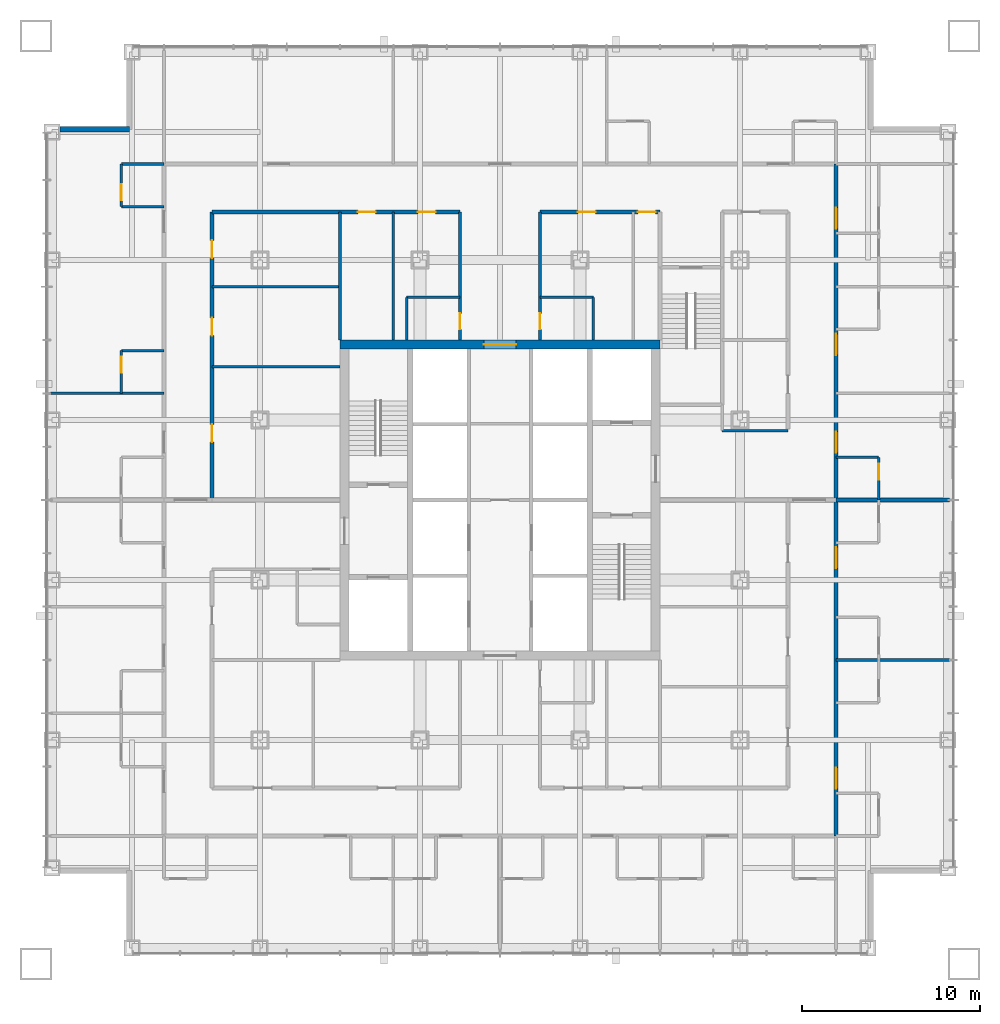
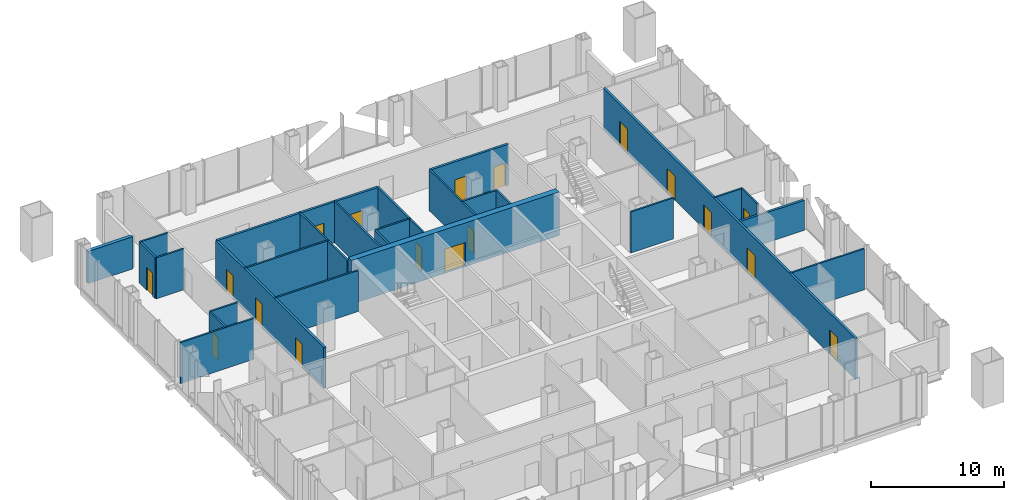
# One storey, part 10 of 13: 27 walls, 18 doors, 18 openings.
"""IFC4 building model written with IfcOpenShell, lengths in metres."""

from ifc_helpers import new_model, si_unit, direction, frame, frame_2d, origin, place, context, subcontext, project, spatial, rectangle, extrude, material, layer, layer_set, type_object, element, fill, save


model = new_model("IFC4")

# Units and contexts
model_context = context("Model", 3, precision=1e-05, world=origin(), true_north=direction((0.0, 1.0)))
body_context = subcontext(model_context, "Body", "Model", "MODEL_VIEW")
ifc_project = project(units=[si_unit("LENGTHUNIT", "METRE"), si_unit("AREAUNIT", "SQUARE_METRE"), si_unit("VOLUMEUNIT", "CUBIC_METRE"), si_unit("PLANEANGLEUNIT", "RADIAN"), si_unit("MASSUNIT", "GRAM", prefix="KILO")], contexts=[model_context])

# Site, building, storey
site_placement = place(None, origin())
site = spatial("IfcSite", under=ifc_project, at=site_placement, CompositionType="ELEMENT")
building_placement = place(site_placement, origin())
building = spatial("IfcBuilding", under=site, at=building_placement, Name="Malebo Sky Hospital", CompositionType="ELEMENT")
storey_placement = place(building_placement, frame((0.0, 0.0, 75.0)))
storey = spatial("IfcBuildingStorey", under=building, at=storey_placement, Name="L17", CompositionType="ELEMENT", Elevation=75.0)

# Wall, opening, door
ifc_material_1 = material(Name="Concrete C80/95", Category="concrete")
ifc_layer_1 = layer(ifc_material_1, 0.5)
ifc_layer_set_1 = layer_set([ifc_layer_1], Name="CORE WALL 500")
wall_type_1 = type_object("IfcWallType", Name="CORE WALL 500", PredefinedType="SHEAR", material=ifc_layer_set_1)
wall_1_placement = place(storey_placement, frame((51.0, 70.75, 0.0), z_axis=(0.0, 0.0, 1.0), x_axis=(1.0, 0.0, 0.0)))
wall_1 = element("IfcWall", 1, at=wall_1_placement, inside=storey, type_object=wall_type_1, Name="Core wall N L17", PredefinedType="SHEAR", context=body_context, shape_type="SweptSolid", body=[
    extrude(rectangle(XDim=18.0, YDim=0.5, at=frame_2d((9.0, 0.0))), origin(), (0.0, 0.0, 1.0), 4.0),
])
opening_1_placement = place(wall_1_placement, frame((8.10009765625, 0.0, 0.0)))
opening_1 = element("IfcOpeningElement", 2, at=opening_1_placement, cuts=wall_1, Name="Opening D06", PredefinedType="OPENING", context=body_context, shape_type="SweptSolid", body=[
    extrude(rectangle(XDim=1.800048828125, YDim=2.199951171875, at=frame_2d((0.89990234375, 1.10009765625))), frame((0.0, 0.260009765625, 0.0), z_axis=(0.0, -1.0, 0.0), x_axis=(1.0, 0.0, 0.0)), (0.0, 0.0, 1.0), 0.52001953125),
])
ifc_material_2 = material(Name="Hardwood-faced door leaf in steel frame", Category="steel")
door_type_1 = type_object("IfcDoorType", Name="LOBBY DOOR PAIR 1800", OperationType="DOUBLE_DOOR_SINGLE_SWING", PredefinedType="DOOR", material=ifc_material_2)
door_1_placement = place(opening_1_placement, origin())
door_1 = element("IfcDoor", 3, at=door_1_placement, inside=storey, type_object=door_type_1, Name="ward pantry door north", OperationType="DOUBLE_DOOR_SINGLE_SWING", OverallHeight=2.199951171875, OverallWidth=1.800048828125, PredefinedType="DOOR", context=body_context, shape_type="SweptSolid", body=[
    extrude(rectangle(XDim=1.800048828125, YDim=2.199951171875, at=frame_2d((0.89990234375, 1.10009765625))), frame((0.0, 0.02490234375, 0.0), z_axis=(0.0, -1.0, 0.0), x_axis=(1.0, 0.0, 0.0)), (0.0, 0.0, 1.0), 0.050048828125),
])
fill(opening_1, door_1)

# Wall, openings, doors
ifc_material_3 = material(Name="Gypsum board on steel studs", Category="steel")
ifc_layer_2 = layer(ifc_material_3, 0.199951171875)
ifc_layer_set_2 = layer_set([ifc_layer_2], Name="CORRIDOR WALL 200")
wall_type_2 = type_object("IfcWallType", Name="CORRIDOR WALL 200", PredefinedType="PARTITIONING", material=ifc_layer_set_2)
wall_2_placement = place(storey_placement, frame((43.800048828125, 78.199951171875, 0.0), z_axis=(0.0, 0.0, 1.0), x_axis=(1.0, 0.0, 0.0)))
wall_2 = element("IfcWall", 4, at=wall_2_placement, inside=storey, type_object=wall_type_2, Name="Corridor Wall 200 NCI1", PredefinedType="PARTITIONING", context=body_context, shape_type="SweptSolid", body=[
    extrude(rectangle(XDim=13.949951171875, YDim=0.199951171875, at=frame_2d((6.97509765625, 0.0))), origin(), (0.0, 0.0, 1.0), 3.75),
])
opening_2_placement = place(wall_2_placement, frame((8.199951171875, 0.0, 0.0)))
opening_2 = element("IfcOpeningElement", 5, at=opening_2_placement, cuts=wall_2, Name="Opening D03", PredefinedType="OPENING", context=body_context, shape_type="SweptSolid", body=[
    extrude(rectangle(XDim=1.0, YDim=2.10009765625, at=frame_2d((0.5, 1.050048828125))), frame((0.0, 0.10986328125, 0.0), z_axis=(0.0, -1.0, 0.0), x_axis=(1.0, 0.0, 0.0)), (0.0, 0.0, 1.0), 0.219970703125),
])
opening_3_placement = place(wall_2_placement, frame((11.574951171875, 0.0, 0.0)))
opening_3 = element("IfcOpeningElement", 6, at=opening_3_placement, cuts=wall_2, Name="Opening D03", PredefinedType="OPENING", context=body_context, shape_type="SweptSolid", body=[
    extrude(rectangle(XDim=1.0, YDim=2.10009765625, at=frame_2d((0.5, 1.050048828125))), frame((0.0, 0.10986328125, 0.0), z_axis=(0.0, -1.0, 0.0), x_axis=(1.0, 0.0, 0.0)), (0.0, 0.0, 1.0), 0.219970703125),
])
door_type_2 = type_object("IfcDoorType", Name="ROOM DOOR 1000", OperationType="SINGLE_SWING_LEFT", PredefinedType="DOOR", material=ifc_material_2)
door_2_placement = place(opening_2_placement, origin())
door_2 = element("IfcDoor", 7, at=door_2_placement, inside=storey, type_object=door_type_2, Name="Equipment store door", OperationType="SINGLE_SWING_LEFT", OverallHeight=2.10009765625, OverallWidth=1.0, PredefinedType="DOOR", context=body_context, shape_type="SweptSolid", body=[
    extrude(rectangle(XDim=1.0, YDim=2.10009765625, at=frame_2d((0.5, 1.050048828125))), frame((0.0, 0.02490234375, 0.0), z_axis=(0.0, -1.0, 0.0), x_axis=(1.0, 0.0, 0.0)), (0.0, 0.0, 1.0), 0.050048828125),
])
fill(opening_2, door_2)
door_3_placement = place(opening_3_placement, origin())
door_3 = element("IfcDoor", 8, at=door_3_placement, inside=storey, type_object=door_type_2, Name="Linen store door", OperationType="SINGLE_SWING_LEFT", OverallHeight=2.10009765625, OverallWidth=1.0, PredefinedType="DOOR", context=body_context, shape_type="SweptSolid", body=[
    extrude(rectangle(XDim=1.0, YDim=2.10009765625, at=frame_2d((0.5, 1.050048828125))), frame((0.0, 0.02490234375, 0.0), z_axis=(0.0, -1.0, 0.0), x_axis=(1.0, 0.0, 0.0)), (0.0, 0.0, 1.0), 0.050048828125),
])
fill(opening_3, door_3)

wall_3_placement = place(storey_placement, frame((62.25, 78.199951171875, 0.0), z_axis=(0.0, 0.0, 1.0), x_axis=(1.0, 0.0, 0.0)))
wall_3 = element("IfcWall", 9, at=wall_3_placement, inside=storey, type_object=wall_type_2, Name="Corridor Wall 200 NCI2", PredefinedType="PARTITIONING", context=body_context, shape_type="SweptSolid", body=[
    extrude(rectangle(XDim=6.75, YDim=0.199951171875, at=frame_2d((3.375, 0.0))), origin(), (0.0, 0.0, 1.0), 3.75),
])
opening_4_placement = place(wall_3_placement, frame((2.125, 0.0, 0.0)))
opening_4 = element("IfcOpeningElement", 10, at=opening_4_placement, cuts=wall_3, Name="Opening D03", PredefinedType="OPENING", context=body_context, shape_type="SweptSolid", body=[
    extrude(rectangle(XDim=1.0, YDim=2.10009765625, at=frame_2d((0.5, 1.050048828125))), frame((0.0, 0.10986328125, 0.0), z_axis=(0.0, -1.0, 0.0), x_axis=(1.0, 0.0, 0.0)), (0.0, 0.0, 1.0), 0.219970703125),
])
opening_5_placement = place(wall_3_placement, frame((5.5, 0.0, 0.0)))
opening_5 = element("IfcOpeningElement", 11, at=opening_5_placement, cuts=wall_3, Name="Opening D03", PredefinedType="OPENING", context=body_context, shape_type="SweptSolid", body=[
    extrude(rectangle(XDim=1.0, YDim=2.10009765625, at=frame_2d((0.5, 1.050048828125))), frame((0.0, 0.10986328125, 0.0), z_axis=(0.0, -1.0, 0.0), x_axis=(1.0, 0.0, 0.0)), (0.0, 0.0, 1.0), 0.219970703125),
])
door_4_placement = place(opening_4_placement, origin())
door_4 = element("IfcDoor", 12, at=door_4_placement, inside=storey, type_object=door_type_2, Name="Ward pantry door", OperationType="SINGLE_SWING_LEFT", OverallHeight=2.10009765625, OverallWidth=1.0, PredefinedType="DOOR", context=body_context, shape_type="SweptSolid", body=[
    extrude(rectangle(XDim=1.0, YDim=2.10009765625, at=frame_2d((0.5, 1.050048828125))), frame((0.0, 0.02490234375, 0.0), z_axis=(0.0, -1.0, 0.0), x_axis=(1.0, 0.0, 0.0)), (0.0, 0.0, 1.0), 0.050048828125),
])
fill(opening_4, door_4)
door_5_placement = place(opening_5_placement, origin())
door_5 = element("IfcDoor", 13, at=door_5_placement, inside=storey, type_object=door_type_2, Name="Staff base door", OperationType="SINGLE_SWING_RIGHT", OverallHeight=2.10009765625, OverallWidth=1.0, PredefinedType="DOOR", context=body_context, shape_type="SweptSolid", body=[
    extrude(rectangle(XDim=1.0, YDim=2.10009765625, at=frame_2d((0.5, 1.050048828125))), frame((0.0, 0.02490234375, 0.0), z_axis=(0.0, -1.0, 0.0), x_axis=(1.0, 0.0, 0.0)), (0.0, 0.0, 1.0), 0.050048828125),
])
fill(opening_5, door_5)

wall_4_placement = place(storey_placement, frame((43.800048828125, 62.0, 0.0), z_axis=(0.0, 0.0, 1.0), x_axis=(0.0, 1.0, 0.0)))
wall_4 = element("IfcWall", 14, at=wall_4_placement, inside=storey, type_object=wall_type_2, Name="Corridor Wall 200 WCI2", PredefinedType="PARTITIONING", context=body_context, shape_type="SweptSolid", body=[
    extrude(rectangle(XDim=16.199951171875, YDim=0.199951171875, at=frame_2d((8.10009765625, 0.0))), origin(), (0.0, 0.0, 1.0), 3.75),
])
opening_6_placement = place(wall_4_placement, frame((3.25, 0.0, 0.0)))
opening_6 = element("IfcOpeningElement", 15, at=opening_6_placement, cuts=wall_4, Name="Opening D03", PredefinedType="OPENING", context=body_context, shape_type="SweptSolid", body=[
    extrude(rectangle(XDim=1.0, YDim=2.10009765625, at=frame_2d((0.5, 1.050048828125))), frame((0.0, 0.10986328125, 0.0), z_axis=(0.0, -1.0, 0.0), x_axis=(1.0, 0.0, 0.0)), (0.0, 0.0, 1.0), 0.219970703125),
])
opening_7_placement = place(wall_4_placement, frame((9.25, 0.0, 0.0)))
opening_7 = element("IfcOpeningElement", 16, at=opening_7_placement, cuts=wall_4, Name="Opening D03", PredefinedType="OPENING", context=body_context, shape_type="SweptSolid", body=[
    extrude(rectangle(XDim=1.0, YDim=2.10009765625, at=frame_2d((0.5, 1.050048828125))), frame((0.0, 0.10986328125, 0.0), z_axis=(0.0, -1.0, 0.0), x_axis=(1.0, 0.0, 0.0)), (0.0, 0.0, 1.0), 0.219970703125),
])
opening_8_placement = place(wall_4_placement, frame((13.60009765625, 0.0, 0.0)))
opening_8 = element("IfcOpeningElement", 17, at=opening_8_placement, cuts=wall_4, Name="Opening D03", PredefinedType="OPENING", context=body_context, shape_type="SweptSolid", body=[
    extrude(rectangle(XDim=1.0, YDim=2.10009765625, at=frame_2d((0.5, 1.050048828125))), frame((0.0, 0.10986328125, 0.0), z_axis=(0.0, -1.0, 0.0), x_axis=(1.0, 0.0, 0.0)), (0.0, 0.0, 1.0), 0.219970703125),
])
door_6_placement = place(opening_6_placement, origin())
door_6 = element("IfcDoor", 18, at=door_6_placement, inside=storey, type_object=door_type_2, Name="Staff rest room door", OperationType="SINGLE_SWING_LEFT", OverallHeight=2.10009765625, OverallWidth=1.0, PredefinedType="DOOR", context=body_context, shape_type="SweptSolid", body=[
    extrude(rectangle(XDim=1.0, YDim=2.10009765625, at=frame_2d((0.5, 1.050048828125))), frame((0.0, 0.02490234375, 0.0), z_axis=(0.0, -1.0, 0.0), x_axis=(1.0, 0.0, 0.0)), (0.0, 0.0, 1.0), 0.050048828125),
])
fill(opening_6, door_6)
door_7_placement = place(opening_7_placement, origin())
door_7 = element("IfcDoor", 19, at=door_7_placement, inside=storey, type_object=door_type_2, Name="Seminar room door", OperationType="SINGLE_SWING_LEFT", OverallHeight=2.10009765625, OverallWidth=1.0, PredefinedType="DOOR", context=body_context, shape_type="SweptSolid", body=[
    extrude(rectangle(XDim=1.0, YDim=2.10009765625, at=frame_2d((0.5, 1.050048828125))), frame((0.0, 0.02490234375, 0.0), z_axis=(0.0, -1.0, 0.0), x_axis=(1.0, 0.0, 0.0)), (0.0, 0.0, 1.0), 0.050048828125),
])
fill(opening_7, door_7)
door_8_placement = place(opening_8_placement, origin())
door_8 = element("IfcDoor", 20, at=door_8_placement, inside=storey, type_object=door_type_2, Name="Dirty utility room door", OperationType="SINGLE_SWING_RIGHT", OverallHeight=2.10009765625, OverallWidth=1.0, PredefinedType="DOOR", context=body_context, shape_type="SweptSolid", body=[
    extrude(rectangle(XDim=1.0, YDim=2.10009765625, at=frame_2d((0.5, 1.050048828125))), frame((0.0, 0.02490234375, 0.0), z_axis=(0.0, -1.0, 0.0), x_axis=(1.0, 0.0, 0.0)), (0.0, 0.0, 1.0), 0.050048828125),
])
fill(opening_8, door_8)

wall_5_placement = place(storey_placement, frame((78.89990234375, 80.89990234375, 0.0), z_axis=(0.0, 0.0, 1.0), x_axis=(0.0, -1.0, 0.0)))
wall_5 = element("IfcWall", 21, at=wall_5_placement, inside=storey, type_object=wall_type_2, Name="Corridor Wall 200 ECO", PredefinedType="PARTITIONING", context=body_context, shape_type="SweptSolid", body=[
    extrude(rectangle(XDim=37.7998046875, YDim=0.199951171875, at=frame_2d((18.89990234375, 0.0))), origin(), (0.0, 0.0, 1.0), 3.75),
])
opening_9_placement = place(wall_5_placement, frame((2.449951171875, 0.0, 0.0)))
opening_9 = element("IfcOpeningElement", 22, at=opening_9_placement, cuts=wall_5, Name="Opening D18", PredefinedType="OPENING", context=body_context, shape_type="SweptSolid", body=[
    extrude(rectangle(XDim=1.199951171875, YDim=2.199951171875, at=frame_2d((0.60009765625, 1.10009765625))), frame((0.0, 0.10986328125, 0.0), z_axis=(0.0, -1.0, 0.0), x_axis=(1.0, 0.0, 0.0)), (0.0, 0.0, 1.0), 0.219970703125),
])
opening_10_placement = place(wall_5_placement, frame((9.550048828125, 0.0, 0.0)))
opening_10 = element("IfcOpeningElement", 23, at=opening_10_placement, cuts=wall_5, Name="Opening D01", PredefinedType="OPENING", context=body_context, shape_type="SweptSolid", body=[
    extrude(rectangle(XDim=1.199951171875, YDim=2.199951171875, at=frame_2d((0.60009765625, 1.10009765625))), frame((0.0, 0.10986328125, 0.0), z_axis=(0.0, -1.0, 0.0), x_axis=(1.0, 0.0, 0.0)), (0.0, 0.0, 1.0), 0.219970703125),
])
opening_11_placement = place(wall_5_placement, frame((15.050048828125, 0.0, 0.0)))
opening_11 = element("IfcOpeningElement", 24, at=opening_11_placement, cuts=wall_5, Name="Opening D01", PredefinedType="OPENING", context=body_context, shape_type="SweptSolid", body=[
    extrude(rectangle(XDim=1.199951171875, YDim=2.199951171875, at=frame_2d((0.60009765625, 1.10009765625))), frame((0.0, 0.10986328125, 0.0), z_axis=(0.0, -1.0, 0.0), x_axis=(1.0, 0.0, 0.0)), (0.0, 0.0, 1.0), 0.219970703125),
])
opening_12_placement = place(wall_5_placement, frame((21.550048828125, 0.0, 0.0)))
opening_12 = element("IfcOpeningElement", 25, at=opening_12_placement, cuts=wall_5, Name="Opening D01", PredefinedType="OPENING", context=body_context, shape_type="SweptSolid", body=[
    extrude(rectangle(XDim=1.199951171875, YDim=2.199951171875, at=frame_2d((0.60009765625, 1.10009765625))), frame((0.0, 0.10986328125, 0.0), z_axis=(0.0, -1.0, 0.0), x_axis=(1.0, 0.0, 0.0)), (0.0, 0.0, 1.0), 0.219970703125),
])
opening_13_placement = place(wall_5_placement, frame((33.949951171875, 0.0, 0.0)))
opening_13 = element("IfcOpeningElement", 26, at=opening_13_placement, cuts=wall_5, Name="Opening D01", PredefinedType="OPENING", context=body_context, shape_type="SweptSolid", body=[
    extrude(rectangle(XDim=1.199951171875, YDim=2.199951171875, at=frame_2d((0.60009765625, 1.10009765625))), frame((0.0, 0.10986328125, 0.0), z_axis=(0.0, -1.0, 0.0), x_axis=(1.0, 0.0, 0.0)), (0.0, 0.0, 1.0), 0.219970703125),
])
door_type_3 = type_object("IfcDoorType", Name="ANTEROOM DOOR 1200", OperationType="SINGLE_SWING_LEFT", PredefinedType="DOOR", material=ifc_material_2)
door_9_placement = place(opening_9_placement, origin())
door_9 = element("IfcDoor", 27, at=door_9_placement, inside=storey, type_object=door_type_3, Name="Anteroom door", OperationType="SINGLE_SWING_RIGHT", OverallHeight=2.199951171875, OverallWidth=1.199951171875, PredefinedType="DOOR", context=body_context, shape_type="SweptSolid", body=[
    extrude(rectangle(XDim=1.199951171875, YDim=2.199951171875, at=frame_2d((0.60009765625, 1.10009765625))), frame((0.0, 0.02490234375, 0.0), z_axis=(0.0, -1.0, 0.0), x_axis=(1.0, 0.0, 0.0)), (0.0, 0.0, 1.0), 0.050048828125),
])
fill(opening_9, door_9)
door_type_4 = type_object("IfcDoorType", Name="BED DOOR 1200", OperationType="SINGLE_SWING_LEFT", PredefinedType="DOOR", material=ifc_material_2)
door_10_placement = place(opening_10_placement, origin())
door_10 = element("IfcDoor", 28, at=door_10_placement, inside=storey, type_object=door_type_4, Name="Single bed room door", OperationType="SINGLE_SWING_LEFT", OverallHeight=2.199951171875, OverallWidth=1.199951171875, PredefinedType="DOOR", context=body_context, shape_type="SweptSolid", body=[
    extrude(rectangle(XDim=1.199951171875, YDim=2.199951171875, at=frame_2d((0.60009765625, 1.10009765625))), frame((0.0, 0.02490234375, 0.0), z_axis=(0.0, -1.0, 0.0), x_axis=(1.0, 0.0, 0.0)), (0.0, 0.0, 1.0), 0.050048828125),
])
fill(opening_10, door_10)
door_11_placement = place(opening_11_placement, origin())
door_11 = element("IfcDoor", 29, at=door_11_placement, inside=storey, type_object=door_type_4, Name="Single bed room door", OperationType="SINGLE_SWING_RIGHT", OverallHeight=2.199951171875, OverallWidth=1.199951171875, PredefinedType="DOOR", context=body_context, shape_type="SweptSolid", body=[
    extrude(rectangle(XDim=1.199951171875, YDim=2.199951171875, at=frame_2d((0.60009765625, 1.10009765625))), frame((0.0, 0.02490234375, 0.0), z_axis=(0.0, -1.0, 0.0), x_axis=(1.0, 0.0, 0.0)), (0.0, 0.0, 1.0), 0.050048828125),
])
fill(opening_11, door_11)
door_12_placement = place(opening_12_placement, origin())
door_12 = element("IfcDoor", 30, at=door_12_placement, inside=storey, type_object=door_type_4, Name="Four-bed bay door", OperationType="SINGLE_SWING_LEFT", OverallHeight=2.199951171875, OverallWidth=1.199951171875, PredefinedType="DOOR", context=body_context, shape_type="SweptSolid", body=[
    extrude(rectangle(XDim=1.199951171875, YDim=2.199951171875, at=frame_2d((0.60009765625, 1.10009765625))), frame((0.0, 0.02490234375, 0.0), z_axis=(0.0, -1.0, 0.0), x_axis=(1.0, 0.0, 0.0)), (0.0, 0.0, 1.0), 0.050048828125),
])
fill(opening_12, door_12)
door_13_placement = place(opening_13_placement, origin())
door_13 = element("IfcDoor", 31, at=door_13_placement, inside=storey, type_object=door_type_4, Name="Four-bed bay door", OperationType="SINGLE_SWING_RIGHT", OverallHeight=2.199951171875, OverallWidth=1.199951171875, PredefinedType="DOOR", context=body_context, shape_type="SweptSolid", body=[
    extrude(rectangle(XDim=1.199951171875, YDim=2.199951171875, at=frame_2d((0.60009765625, 1.10009765625))), frame((0.0, 0.02490234375, 0.0), z_axis=(0.0, -1.0, 0.0), x_axis=(1.0, 0.0, 0.0)), (0.0, 0.0, 1.0), 0.050048828125),
])
fill(opening_13, door_13)

# Walls
ifc_material_4 = material(Name="Anodised aluminium rainscreen on steel framing", Category="steel")
ifc_layer_3 = layer(ifc_material_4, 0.300048828125)
ifc_layer_set_3 = layer_set([ifc_layer_3], Name="NOTCH RAINSCREEN WALL 300")
wall_type_3 = type_object("IfcWallType", Name="NOTCH RAINSCREEN WALL 300", PredefinedType="ELEMENTEDWALL", material=ifc_layer_set_3)
wall_6_placement = place(storey_placement, frame((35.25, 82.85009765625, 0.0), z_axis=(0.0, 0.0, 1.0), x_axis=(1.0, 0.0, 0.0)))
element("IfcWall", 32, at=wall_6_placement, inside=storey, type_object=wall_type_3, Name="Notch rainscreen wall W1 L17", PredefinedType="ELEMENTEDWALL", context=body_context, shape_type="SweptSolid", body=[
    extrude(rectangle(XDim=3.89990234375, YDim=0.300048828125, at=frame_2d((1.949951171875, 0.0))), origin(), (0.0, 0.0, 1.0), 2.949951171875),
])
ifc_layer_4 = layer(ifc_material_3, 0.14990234375)
ifc_layer_set_4 = layer_set([ifc_layer_4], Name="PARTITION 150")
wall_type_4 = type_object("IfcWallType", Name="PARTITION 150", PredefinedType="PARTITIONING", material=ifc_layer_set_4)
wall_7_placement = place(storey_placement, frame((51.0, 71.0, 0.0), z_axis=(0.0, 0.0, 1.0), x_axis=(0.0, 1.0, 0.0)))
element("IfcWall", 33, at=wall_7_placement, inside=storey, type_object=wall_type_4, Name="Partition 150 NSP0", PredefinedType="PARTITIONING", context=body_context, shape_type="SweptSolid", body=[
    extrude(rectangle(XDim=7.199951171875, YDim=0.14990234375, at=frame_2d((3.60009765625, 0.0))), origin(), (0.0, 0.0, 1.0), 3.75),
])

# Wall, opening, door
wall_8_placement = place(storey_placement, frame((57.75, 71.0, 0.0), z_axis=(0.0, 0.0, 1.0), x_axis=(0.0, 1.0, 0.0)))
wall_8 = element("IfcWall", 34, at=wall_8_placement, inside=storey, type_object=wall_type_4, Name="Partition 150 NSPA", PredefinedType="PARTITIONING", context=body_context, shape_type="SweptSolid", body=[
    extrude(rectangle(XDim=7.199951171875, YDim=0.14990234375, at=frame_2d((3.60009765625, 0.0))), origin(), (0.0, 0.0, 1.0), 3.75),
])
opening_14_placement = place(wall_8_placement, frame((0.60009765625, 0.0, 0.0)))
opening_14 = element("IfcOpeningElement", 35, at=opening_14_placement, cuts=wall_8, Name="Opening D04", PredefinedType="OPENING", context=body_context, shape_type="SweptSolid", body=[
    extrude(rectangle(XDim=0.89990234375, YDim=2.10009765625, at=frame_2d((0.449951171875, 1.050048828125))), frame((0.0, 0.0849609375, 0.0), z_axis=(0.0, -1.0, 0.0), x_axis=(1.0, 0.0, 0.0)), (0.0, 0.0, 1.0), 0.169921875),
])
door_type_5 = type_object("IfcDoorType", Name="ROOM DOOR 900", OperationType="SINGLE_SWING_LEFT", PredefinedType="DOOR", material=ifc_material_2)
door_14_placement = place(opening_14_placement, origin())
door_14 = element("IfcDoor", 36, at=door_14_placement, inside=storey, type_object=door_type_5, Name="Staff WC door", OperationType="SINGLE_SWING_LEFT", OverallHeight=2.10009765625, OverallWidth=0.89990234375, PredefinedType="DOOR", context=body_context, shape_type="SweptSolid", body=[
    extrude(rectangle(XDim=0.89990234375, YDim=2.10009765625, at=frame_2d((0.449951171875, 1.050048828125))), frame((0.0, 0.02490234375, 0.0), z_axis=(0.0, -1.0, 0.0), x_axis=(1.0, 0.0, 0.0)), (0.0, 0.0, 1.0), 0.050048828125),
])
fill(opening_14, door_14)

wall_9_placement = place(storey_placement, frame((62.25, 71.0, 0.0), z_axis=(0.0, 0.0, 1.0), x_axis=(0.0, 1.0, 0.0)))
wall_9 = element("IfcWall", 37, at=wall_9_placement, inside=storey, type_object=wall_type_4, Name="Partition 150 NSPB", PredefinedType="PARTITIONING", context=body_context, shape_type="SweptSolid", body=[
    extrude(rectangle(XDim=7.199951171875, YDim=0.14990234375, at=frame_2d((3.60009765625, 0.0))), origin(), (0.0, 0.0, 1.0), 3.75),
])
opening_15_placement = place(wall_9_placement, frame((0.60009765625, 0.0, 0.0)))
opening_15 = element("IfcOpeningElement", 38, at=opening_15_placement, cuts=wall_9, Name="Opening D04", PredefinedType="OPENING", context=body_context, shape_type="SweptSolid", body=[
    extrude(rectangle(XDim=0.89990234375, YDim=2.10009765625, at=frame_2d((0.449951171875, 1.050048828125))), frame((0.0, 0.0849609375, 0.0), z_axis=(0.0, -1.0, 0.0), x_axis=(1.0, 0.0, 0.0)), (0.0, 0.0, 1.0), 0.169921875),
])
door_15_placement = place(opening_15_placement, origin())
door_15 = element("IfcDoor", 39, at=door_15_placement, inside=storey, type_object=door_type_5, Name="Accessible WC door", OperationType="SINGLE_SWING_LEFT", OverallHeight=2.10009765625, OverallWidth=0.89990234375, PredefinedType="DOOR", context=body_context, shape_type="SweptSolid", body=[
    extrude(rectangle(XDim=0.89990234375, YDim=2.10009765625, at=frame_2d((0.449951171875, 1.050048828125))), frame((0.0, 0.02490234375, 0.0), z_axis=(0.0, -1.0, 0.0), x_axis=(1.0, 0.0, 0.0)), (0.0, 0.0, 1.0), 0.050048828125),
])
fill(opening_15, door_15)

# Walls
wall_10_placement = place(storey_placement, frame((54.0, 71.0, 0.0), z_axis=(0.0, 0.0, 1.0), x_axis=(0.0, 1.0, 0.0)))
element("IfcWall", 40, at=wall_10_placement, inside=storey, type_object=wall_type_4, Name="Partition 150 NSP-6.0", PredefinedType="PARTITIONING", context=body_context, shape_type="SweptSolid", body=[
    extrude(rectangle(XDim=7.199951171875, YDim=0.14990234375, at=frame_2d((3.60009765625, 0.0))), origin(), (0.0, 0.0, 1.0), 3.75),
])
wall_11_placement = place(storey_placement, frame((54.75, 73.39990234375, 0.0), z_axis=(0.0, 0.0, 1.0), x_axis=(1.0, 0.0, 0.0)))
element("IfcWall", 41, at=wall_11_placement, inside=storey, type_object=wall_type_4, Name="Partition 150 NSX1", PredefinedType="PARTITIONING", context=body_context, shape_type="SweptSolid", body=[
    extrude(rectangle(XDim=3.0, YDim=0.14990234375, at=frame_2d((1.5, 0.0))), origin(), (0.0, 0.0, 1.0), 3.75),
])
wall_12_placement = place(storey_placement, frame((54.75, 71.0, 0.0), z_axis=(0.0, 0.0, 1.0), x_axis=(0.0, 1.0, 0.0)))
element("IfcWall", 42, at=wall_12_placement, inside=storey, type_object=wall_type_4, Name="Partition 150 NSY1", PredefinedType="PARTITIONING", context=body_context, shape_type="SweptSolid", body=[
    extrude(rectangle(XDim=2.39990234375, YDim=0.14990234375, at=frame_2d((1.199951171875, 0.0))), origin(), (0.0, 0.0, 1.0), 3.75),
])
wall_13_placement = place(storey_placement, frame((62.25, 73.39990234375, 0.0), z_axis=(0.0, 0.0, 1.0), x_axis=(1.0, 0.0, 0.0)))
element("IfcWall", 43, at=wall_13_placement, inside=storey, type_object=wall_type_4, Name="Partition 150 NSX2", PredefinedType="PARTITIONING", context=body_context, shape_type="SweptSolid", body=[
    extrude(rectangle(XDim=3.0, YDim=0.14990234375, at=frame_2d((1.5, 0.0))), origin(), (0.0, 0.0, 1.0), 3.75),
])
wall_14_placement = place(storey_placement, frame((65.25, 71.0, 0.0), z_axis=(0.0, 0.0, 1.0), x_axis=(0.0, 1.0, 0.0)))
element("IfcWall", 44, at=wall_14_placement, inside=storey, type_object=wall_type_4, Name="Partition 150 NSY2", PredefinedType="PARTITIONING", context=body_context, shape_type="SweptSolid", body=[
    extrude(rectangle(XDim=2.39990234375, YDim=0.14990234375, at=frame_2d((1.199951171875, 0.0))), origin(), (0.0, 0.0, 1.0), 3.75),
])
wall_15_placement = place(storey_placement, frame((41.10009765625, 68.0, 0.0), z_axis=(0.0, 0.0, 1.0), x_axis=(-1.0, 0.0, 0.0)))
element("IfcWall", 45, at=wall_15_placement, inside=storey, type_object=wall_type_4, Name="Partition 150 WP+6.0", PredefinedType="PARTITIONING", context=body_context, shape_type="SweptSolid", body=[
    extrude(rectangle(XDim=6.375, YDim=0.14990234375, at=frame_2d((3.1875, 0.0))), origin(), (0.0, 0.0, 1.0), 3.75),
])

# Wall, opening, door
wall_16_placement = place(storey_placement, frame((38.699951171875, 78.5, 0.0), z_axis=(0.0, 0.0, 1.0), x_axis=(0.0, 1.0, 0.0)))
wall_16 = element("IfcWall", 46, at=wall_16_placement, inside=storey, type_object=wall_type_4, Name="Partition 150 WE4F", PredefinedType="PARTITIONING", context=body_context, shape_type="SweptSolid", body=[
    extrude(rectangle(XDim=2.39990234375, YDim=0.14990234375, at=frame_2d((1.199951171875, 0.0))), origin(), (0.0, 0.0, 1.0), 3.75),
])
opening_16_placement = place(wall_16_placement, frame((0.35009765625, 0.0, 0.0)))
opening_16 = element("IfcOpeningElement", 47, at=opening_16_placement, cuts=wall_16, Name="Opening D02", PredefinedType="OPENING", context=body_context, shape_type="SweptSolid", body=[
    extrude(rectangle(XDim=0.89990234375, YDim=2.10009765625, at=frame_2d((0.449951171875, 1.050048828125))), frame((0.0, 0.0849609375, 0.0), z_axis=(0.0, -1.0, 0.0), x_axis=(1.0, 0.0, 0.0)), (0.0, 0.0, 1.0), 0.169921875),
])
door_type_6 = type_object("IfcDoorType", Name="EN-SUITE DOOR 900", OperationType="SINGLE_SWING_LEFT", PredefinedType="DOOR", material=ifc_material_2)
door_16_placement = place(opening_16_placement, origin())
door_16 = element("IfcDoor", 48, at=door_16_placement, inside=storey, type_object=door_type_6, Name="En-suite door", OperationType="SINGLE_SWING_LEFT", OverallHeight=2.10009765625, OverallWidth=0.89990234375, PredefinedType="DOOR", context=body_context, shape_type="SweptSolid", body=[
    extrude(rectangle(XDim=0.89990234375, YDim=2.10009765625, at=frame_2d((0.449951171875, 1.050048828125))), frame((0.0, 0.02490234375, 0.0), z_axis=(0.0, -1.0, 0.0), x_axis=(1.0, 0.0, 0.0)), (0.0, 0.0, 1.0), 0.050048828125),
])
fill(opening_16, door_16)

# Wall
wall_17_placement = place(storey_placement, frame((41.10009765625, 78.5, 0.0), z_axis=(0.0, 0.0, 1.0), x_axis=(-1.0, 0.0, 0.0)))
element("IfcWall", 49, at=wall_17_placement, inside=storey, type_object=wall_type_4, Name="Partition 150 WE4S", PredefinedType="PARTITIONING", context=body_context, shape_type="SweptSolid", body=[
    extrude(rectangle(XDim=2.400146484375, YDim=0.14990234375, at=frame_2d((1.2001953125, 0.0))), origin(), (0.0, 0.0, 1.0), 3.75),
])

# Wall, opening, door
wall_18_placement = place(storey_placement, frame((38.699951171875, 68.0, 0.0), z_axis=(0.0, 0.0, 1.0), x_axis=(0.0, 1.0, 0.0)))
wall_18 = element("IfcWall", 50, at=wall_18_placement, inside=storey, type_object=wall_type_4, Name="Partition 150 WG4F", PredefinedType="PARTITIONING", context=body_context, shape_type="SweptSolid", body=[
    extrude(rectangle(XDim=2.39990234375, YDim=0.14990234375, at=frame_2d((1.199951171875, 0.0))), origin(), (0.0, 0.0, 1.0), 3.75),
])
opening_17_placement = place(wall_18_placement, frame((1.14990234375, 0.0, 0.0)))
opening_17 = element("IfcOpeningElement", 51, at=opening_17_placement, cuts=wall_18, Name="Opening D02", PredefinedType="OPENING", context=body_context, shape_type="SweptSolid", body=[
    extrude(rectangle(XDim=0.89990234375, YDim=2.10009765625, at=frame_2d((0.449951171875, 1.050048828125))), frame((0.0, 0.0849609375, 0.0), z_axis=(0.0, -1.0, 0.0), x_axis=(1.0, 0.0, 0.0)), (0.0, 0.0, 1.0), 0.169921875),
])
door_17_placement = place(opening_17_placement, origin())
door_17 = element("IfcDoor", 52, at=door_17_placement, inside=storey, type_object=door_type_6, Name="En-suite door", OperationType="SINGLE_SWING_RIGHT", OverallHeight=2.10009765625, OverallWidth=0.89990234375, PredefinedType="DOOR", context=body_context, shape_type="SweptSolid", body=[
    extrude(rectangle(XDim=0.89990234375, YDim=2.10009765625, at=frame_2d((0.449951171875, 1.050048828125))), frame((0.0, 0.02490234375, 0.0), z_axis=(0.0, -1.0, 0.0), x_axis=(1.0, 0.0, 0.0)), (0.0, 0.0, 1.0), 0.050048828125),
])
fill(opening_17, door_17)

# Walls
for number, where, z_axis, x_axis, name in (
    (53, (41.10009765625, 70.39990234375, 0.0), (0.0, 0.0, 1.0), (-1.0, 0.0, 0.0), "Partition 150 WG4S"),
    (54, (41.10009765625, 80.89990234375, 0.0), (0.0, 0.0, 1.0), (-1.0, 0.0, 0.0), "Partition 150 WEZ"),
):
    element("IfcWall", number, at=place(storey_placement, frame(where, z_axis=z_axis, x_axis=x_axis)), inside=storey, type_object=wall_type_4, Name=name, PredefinedType="PARTITIONING", context=body_context, shape_type="SweptSolid", body=[
        extrude(rectangle(XDim=2.400146484375, YDim=0.14990234375, at=frame_2d((1.2001953125, 0.0))), origin(), (0.0, 0.0, 1.0), 3.75),
    ])
for number, where, z_axis, x_axis, name in (
    (55, (51.0, 69.5, 0.0), (0.0, 0.0, 1.0), (-1.0, 0.0, 0.0), "Partition 150 WSP+7.5"),
    (56, (51.0, 74.0, 0.0), (0.0, 0.0, 1.0), (-1.0, 0.0, 0.0), "Partition 150 WSP+12.0"),
):
    element("IfcWall", number, at=place(storey_placement, frame(where, z_axis=z_axis, x_axis=x_axis)), inside=storey, type_object=wall_type_4, Name=name, PredefinedType="PARTITIONING", context=body_context, shape_type="SweptSolid", body=[
        extrude(rectangle(XDim=7.199951171875, YDim=0.14990234375, at=frame_2d((3.60009765625, 0.0))), origin(), (0.0, 0.0, 1.0), 3.75),
    ])
wall_19_placement = place(storey_placement, frame((78.89990234375, 53.0, 0.0), z_axis=(0.0, 0.0, 1.0), x_axis=(1.0, 0.0, 0.0)))
element("IfcWall", 57, at=wall_19_placement, inside=storey, type_object=wall_type_4, Name="Partition 150 EP+9.0", PredefinedType="PARTITIONING", context=body_context, shape_type="SweptSolid", body=[
    extrude(rectangle(XDim=6.375, YDim=0.14990234375, at=frame_2d((3.1875, 0.0))), origin(), (0.0, 0.0, 1.0), 3.75),
])

# Wall, opening, door
wall_20_placement = place(storey_placement, frame((81.300048828125, 64.39990234375, 0.0), z_axis=(0.0, 0.0, 1.0), x_axis=(0.0, -1.0, 0.0)))
wall_20 = element("IfcWall", 58, at=wall_20_placement, inside=storey, type_object=wall_type_4, Name="Partition 150 EE2F", PredefinedType="PARTITIONING", context=body_context, shape_type="SweptSolid", body=[
    extrude(rectangle(XDim=2.39990234375, YDim=0.14990234375, at=frame_2d((1.199951171875, 0.0))), origin(), (0.0, 0.0, 1.0), 3.75),
])
opening_18_placement = place(wall_20_placement, frame((0.35009765625, 0.0, 0.0)))
opening_18 = element("IfcOpeningElement", 59, at=opening_18_placement, cuts=wall_20, Name="Opening D02", PredefinedType="OPENING", context=body_context, shape_type="SweptSolid", body=[
    extrude(rectangle(XDim=0.89990234375, YDim=2.10009765625, at=frame_2d((0.449951171875, 1.050048828125))), frame((0.0, 0.0849609375, 0.0), z_axis=(0.0, -1.0, 0.0), x_axis=(1.0, 0.0, 0.0)), (0.0, 0.0, 1.0), 0.169921875),
])
door_18_placement = place(opening_18_placement, origin())
door_18 = element("IfcDoor", 60, at=door_18_placement, inside=storey, type_object=door_type_6, Name="En-suite door", OperationType="SINGLE_SWING_LEFT", OverallHeight=2.10009765625, OverallWidth=0.89990234375, PredefinedType="DOOR", context=body_context, shape_type="SweptSolid", body=[
    extrude(rectangle(XDim=0.89990234375, YDim=2.10009765625, at=frame_2d((0.449951171875, 1.050048828125))), frame((0.0, 0.02490234375, 0.0), z_axis=(0.0, -1.0, 0.0), x_axis=(1.0, 0.0, 0.0)), (0.0, 0.0, 1.0), 0.050048828125),
])
fill(opening_18, door_18)

# Walls
wall_21_placement = place(storey_placement, frame((78.89990234375, 64.39990234375, 0.0), z_axis=(0.0, 0.0, 1.0), x_axis=(1.0, 0.0, 0.0)))
element("IfcWall", 61, at=wall_21_placement, inside=storey, type_object=wall_type_4, Name="Partition 150 EE2S", PredefinedType="PARTITIONING", context=body_context, shape_type="SweptSolid", body=[
    extrude(rectangle(XDim=2.400146484375, YDim=0.14990234375, at=frame_2d((1.2001953125, 0.0))), origin(), (0.0, 0.0, 1.0), 3.75),
])
wall_22_placement = place(storey_placement, frame((72.5, 65.89990234375, 0.0), z_axis=(0.0, 0.0, 1.0), x_axis=(1.0, 0.0, 0.0)))
element("IfcWall", 62, at=wall_22_placement, inside=storey, type_object=wall_type_4, Name="Partition 150 ESPA", PredefinedType="PARTITIONING", context=body_context, shape_type="SweptSolid", body=[
    extrude(rectangle(XDim=3.699951171875, YDim=0.14990234375, at=frame_2d((1.85009765625, 0.0))), origin(), (0.0, 0.0, 1.0), 3.75),
])
ifc_material_5 = material(Name="Concrete blockwork", Category="masonry")
ifc_layer_5 = layer(ifc_material_5, 0.199951171875)
ifc_layer_set_5 = layer_set([ifc_layer_5], Name="SMOKE BARRIER WALL 200")
wall_type_5 = type_object("IfcWallType", Name="SMOKE BARRIER WALL 200", PredefinedType="SOLIDWALL", material=ifc_layer_set_5)
wall_23_placement = place(storey_placement, frame((78.89990234375, 62.0, 0.0), z_axis=(0.0, 0.0, 1.0), x_axis=(1.0, 0.0, 0.0)))
element("IfcWall", 63, at=wall_23_placement, inside=storey, type_object=wall_type_5, Name="Smoke Barrier Wall 200 EP+0.0", PredefinedType="SOLIDWALL", context=body_context, shape_type="SweptSolid", body=[
    extrude(rectangle(XDim=6.375, YDim=0.199951171875, at=frame_2d((3.1875, 0.0))), origin(), (0.0, 0.0, 1.0), 2.75),
])

save(model, "model.ifc")
